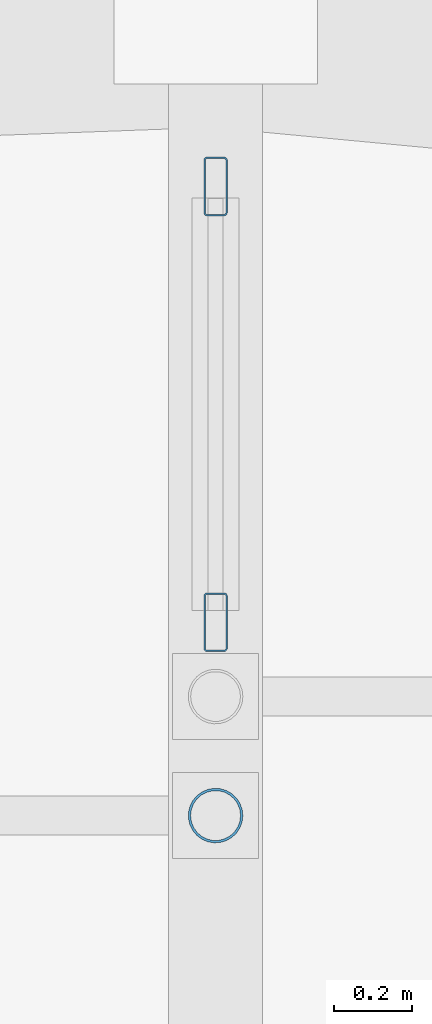
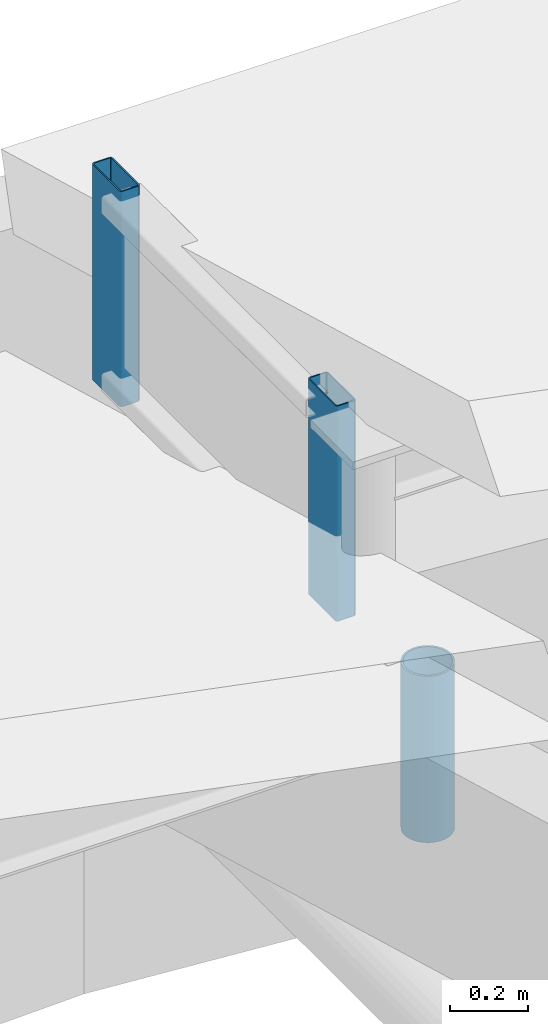
# One storey, part 148 of 188: 3 members, 1 element without a shape of its own.
"""IFC4 building model written with IfcOpenShell, lengths in metres."""

from ifc_helpers import new_model, si_unit, direction, frame, origin, origin_2d, place, context, subcontext, project, spatial, hollow_rectangle, hollow_circle, extrude, material, layer, layer_set, material_profile, profile_set, type_object, element, aggregate, save


model = new_model("IFC4")

# Units and contexts
model_context = context("Model", 3, precision=1e-05, world=origin(), true_north=direction((0.0, 1.0)))
body_context = subcontext(model_context, "Body", "Model", "MODEL_VIEW")
ifc_project = project(units=[si_unit("LENGTHUNIT", "METRE"), si_unit("AREAUNIT", "SQUARE_METRE"), si_unit("VOLUMEUNIT", "CUBIC_METRE"), si_unit("PLANEANGLEUNIT", "RADIAN"), si_unit("MASSUNIT", "GRAM", prefix="KILO")], contexts=[model_context])

# Site, building, storey
site_placement = place(None, origin())
site = spatial("IfcSite", under=ifc_project, at=site_placement, CompositionType="ELEMENT")
building_placement = place(site_placement, origin())
building = spatial("IfcBuilding", under=site, at=building_placement, Name="Kisaragi Civic Commons", CompositionType="ELEMENT")
storey_placement = place(building_placement, frame((0.0, 0.0, 9.60009765625)))
storey = spatial("IfcBuildingStorey", under=building, at=storey_placement, Name="L02", CompositionType="ELEMENT", Elevation=9.60009765625)

# Curtain wall, members
ifc_material_1 = material(Name="Thermally broken anodized aluminium and low-E double glazing", Category="aluminium")
ifc_layer = layer(ifc_material_1, 0.14990234375, Name="Thermally broken anodized aluminium and low-E double glazing", Category="aluminium")
ifc_layer_set = layer_set([ifc_layer], Name="Thermally broken anodized aluminium and low-E double glazing")
curtain_wall_type = type_object("IfcCurtainWallType", Name="CW-03", PredefinedType="NOTDEFINED", material=ifc_layer_set)
curtain_wall_placement = place(storey_placement, origin())
curtain_wall = element("IfcCurtainWall", 1, at=curtain_wall_placement, inside=storey, type_object=curtain_wall_type, Name="L02 curtain wall CW-03 CW-CL-V2-208", PredefinedType="NOTDEFINED")
ifc_material_profile_1 = material_profile(ifc_material_1, hollow_rectangle(XDim=0.06005859375, YDim=0.14990234375, WallThickness=0.00390625, InnerFilletRadius=0.00390625, OuterFilletRadius=0.008056640625, at=origin_2d()), Name="CWM-60x150x4", Category="aluminium")
ifc_profile_set_1 = profile_set([ifc_material_profile_1], Name="Thermally broken anodized aluminium and low-E double glazing")
member_type_1 = type_object("IfcMemberType", Name="CWM-01", PredefinedType="MULLION", material=ifc_profile_set_1)
member_1_placement = place(storey_placement, frame((27.199951171875, 116.623291015625, 0.62060546875), z_axis=(0.0, 0.0, 1.0), x_axis=(-1.0, 0.0, 0.0)))
member_1 = element("IfcMember", 2, at=member_1_placement, type_object=member_type_1, Name="CW-03 mullion 1", PredefinedType="MULLION", context=body_context, shape_type="SweptSolid", body=[
    extrude(hollow_rectangle(XDim=0.06005859375, YDim=0.14990234375, WallThickness=0.00390625, InnerFilletRadius=0.00390625, OuterFilletRadius=0.008056640625, at=origin_2d()), origin(), (0.0, 0.0, 1.0), 0.677978515625),
])
member_2_placement = place(storey_placement, frame((27.199951171875, 117.73681640625, 0.62060546875), z_axis=(0.0, 0.0, 1.0), x_axis=(-1.0, 0.0, 0.0)))
member_2 = element("IfcMember", 3, at=member_2_placement, type_object=member_type_1, Name="CW-03 mullion 2", PredefinedType="MULLION", context=body_context, shape_type="SweptSolid", body=[
    extrude(hollow_rectangle(XDim=0.06005859375, YDim=0.14990234375, WallThickness=0.00390625, InnerFilletRadius=0.00390625, OuterFilletRadius=0.008056640625, at=origin_2d()), origin(), (0.0, 0.0, 1.0), 0.677978515625),
])
aggregate(curtain_wall, [member_1, member_2])

# Member
ifc_material_2 = material(Name="Steel SN490 (SN490B)", Category="steel")
ifc_material_profile_2 = material_profile(ifc_material_2, hollow_circle(Radius=0.06982421875, WallThickness=0.006103515625, at=origin_2d()), Name="CHS-139.8x6.0", Category="steel")
ifc_profile_set_2 = profile_set([ifc_material_profile_2], Name="Steel SN490 (SN490B)")
member_type_2 = type_object("IfcMemberType", Name="ST-H1", PredefinedType="STRUT", material=ifc_profile_set_2)
member_3_placement = place(storey_placement, frame((27.199951171875, 116.129150390625, 0.218017578125), z_axis=(0.0, 0.0, 1.0), x_axis=(1.0, 0.0, 0.0)))
element("IfcMember", 4, at=member_3_placement, inside=storey, type_object=member_type_2, Name="V2 clerestory monitor horizontal tie strut 4.4.8", PredefinedType="STRUT", context=body_context, shape_type="SweptSolid", body=[
    extrude(hollow_circle(Radius=0.06982421875, WallThickness=0.006103515625, at=origin_2d()), origin(), (0.0, 0.0, 1.0), 0.524169921875),
])

save(model, "model.ifc")
